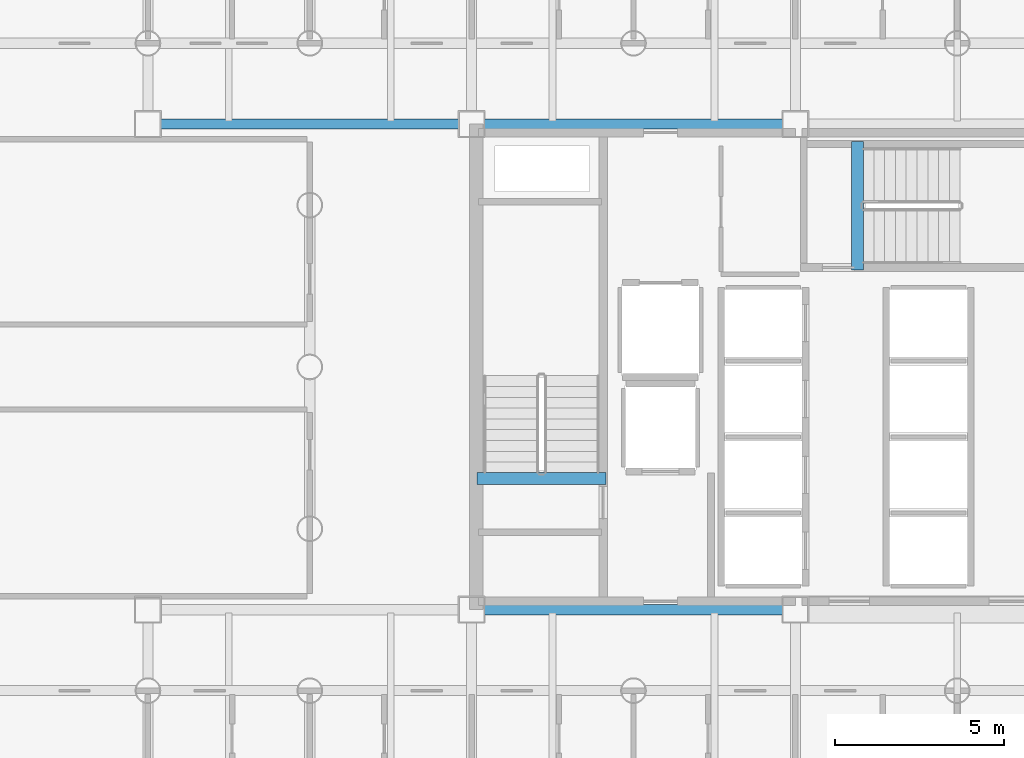
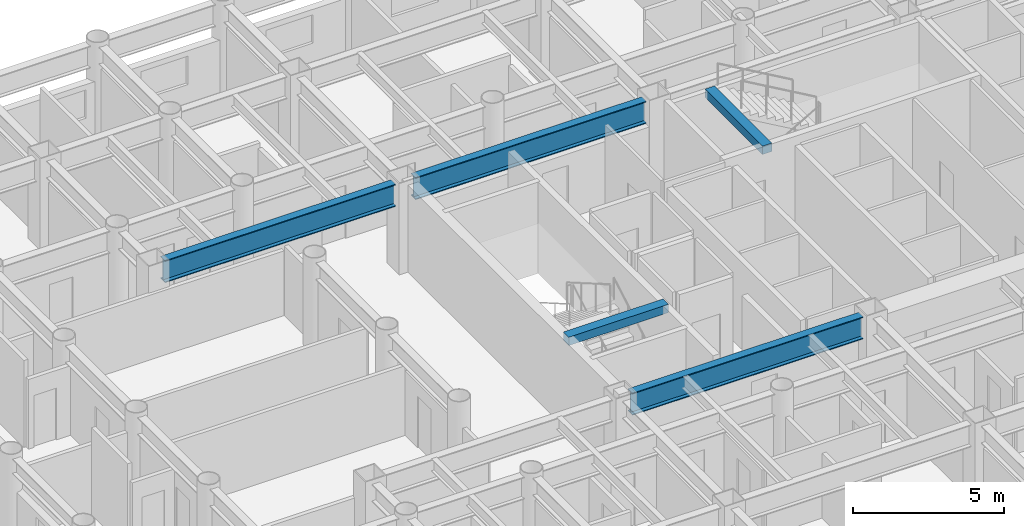
# One storey, part 5 of 22: 5 beams.
"""IFC4 building model written with IfcOpenShell, lengths in metres."""

from ifc_helpers import new_model, si_unit, direction, frame, origin, origin_2d, place, context, subcontext, project, spatial, rectangle, i_section, extrude, material, material_profile, profile_set, type_object, element, save


model = new_model("IFC4")

# Units and contexts
model_context = context("Model", 3, precision=1e-05, world=origin(), true_north=direction((0.0, 1.0)))
body_context = subcontext(model_context, "Body", "Model", "MODEL_VIEW")
ifc_project = project(units=[si_unit("LENGTHUNIT", "METRE"), si_unit("AREAUNIT", "SQUARE_METRE"), si_unit("VOLUMEUNIT", "CUBIC_METRE"), si_unit("PLANEANGLEUNIT", "RADIAN"), si_unit("MASSUNIT", "GRAM", prefix="KILO")], contexts=[model_context])

# Site, building, storey
site_placement = place(None, origin())
site = spatial("IfcSite", under=ifc_project, at=site_placement, CompositionType="ELEMENT")
building_placement = place(site_placement, origin())
building = spatial("IfcBuilding", under=site, at=building_placement, Name="Kallvorn Hotel Tower", CompositionType="ELEMENT")
storey_placement = place(building_placement, frame((0.0, 0.0, 37.39990234375)))
storey = spatial("IfcBuildingStorey", under=building, at=storey_placement, Name="L07", CompositionType="ELEMENT", Elevation=37.39990234375)

# Beams
ifc_material_1 = material(Name="Structural steel S355JR", Category="steel")
ifc_material_profile_1 = material_profile(ifc_material_1, i_section(OverallWidth=0.300048828125, OverallDepth=0.89990234375, WebThickness=0.0185546875, FlangeThickness=0.034912109375, at=origin_2d()), Name="HE 900 B")
ifc_profile_set_1 = profile_set([ifc_material_profile_1], Name="Structural steel S355JR")
beam_type_1 = type_object("IfcBeamType", Name="BM_HE900B", PredefinedType="BEAM", material=ifc_profile_set_1)
beam_1_placement = place(storey_placement, frame((-14.02490234375, -7.199951171875, 3.070068359375), z_axis=(1.0, 0.0, 0.0), x_axis=(0.0, 1.0, 0.0)))
element("IfcBeam", 1, at=beam_1_placement, inside=storey, type_object=beam_type_1, Name="L08 Primary X-Girder 34", PredefinedType="BEAM", context=body_context, shape_type="SweptSolid", body=[
    extrude(i_section(OverallWidth=0.300048828125, OverallDepth=0.89990234375, WebThickness=0.0185546875, FlangeThickness=0.034912109375, at=origin_2d()), origin(), (0.0, 0.0, 1.0), 8.849853515625),
])
beam_2_placement = place(storey_placement, frame((-23.625, 7.199951171875, 3.070068359375), z_axis=(1.0, 0.0, 0.0), x_axis=(0.0, 1.0, 0.0)))
element("IfcBeam", 2, at=beam_2_placement, inside=storey, type_object=beam_type_1, Name="L08 Primary X-Girder 37", PredefinedType="BEAM", context=body_context, shape_type="SweptSolid", body=[
    extrude(i_section(OverallWidth=0.300048828125, OverallDepth=0.89990234375, WebThickness=0.0185546875, FlangeThickness=0.034912109375, at=origin_2d()), origin(), (0.0, 0.0, 1.0), 8.85009765625),
])
beam_3_placement = place(storey_placement, frame((-14.02490234375, 7.199951171875, 3.070068359375), z_axis=(1.0, 0.0, 0.0), x_axis=(0.0, 1.0, 0.0)))
element("IfcBeam", 3, at=beam_3_placement, inside=storey, type_object=beam_type_1, Name="L08 Primary X-Girder 38", PredefinedType="BEAM", context=body_context, shape_type="SweptSolid", body=[
    extrude(i_section(OverallWidth=0.300048828125, OverallDepth=0.89990234375, WebThickness=0.0185546875, FlangeThickness=0.034912109375, at=origin_2d()), origin(), (0.0, 0.0, 1.0), 8.849853515625),
])
ifc_material_2 = material(Name="Concrete C50/60", Category="concrete")
ifc_material_profile_2 = material_profile(ifc_material_2, rectangle(XDim=0.360107421875, YDim=0.340087890625, at=origin_2d()), Name="RC 360x340")
ifc_profile_set_2 = profile_set([ifc_material_profile_2], Name="Concrete C50/60")
beam_type_2 = type_object("IfcBeamType", Name="BM_RC_400x360", PredefinedType="BEAM", material=ifc_profile_set_2)
beam_4_placement = place(storey_placement, frame((-10.419921875, -3.31005859375, 3.35009765625), z_axis=(-1.0, 0.0, 0.0), x_axis=(0.0, -1.0, 0.0)))
element("IfcBeam", 4, at=beam_4_placement, inside=storey, type_object=beam_type_2, Name="L08 Stair ST1 Arrival Trimmer Beam", PredefinedType="BEAM", context=body_context, shape_type="SweptSolid", body=[
    extrude(rectangle(XDim=0.360107421875, YDim=0.340087890625, at=origin_2d()), origin(), (0.0, 0.0, 1.0), 3.820068359375),
])
beam_5_placement = place(storey_placement, frame((-2.9599609375, 2.8701171875, 3.35009765625), z_axis=(0.0, 1.0, 0.0), x_axis=(-1.0, 0.0, 0.0)))
element("IfcBeam", 5, at=beam_5_placement, inside=storey, type_object=beam_type_2, Name="L08 Stair ST3 Arrival Trimmer Beam", PredefinedType="BEAM", context=body_context, shape_type="SweptSolid", body=[
    extrude(rectangle(XDim=0.360107421875, YDim=0.340087890625, at=origin_2d()), origin(), (0.0, 0.0, 1.0), 3.81982421875),
])

save(model, "model.ifc")
